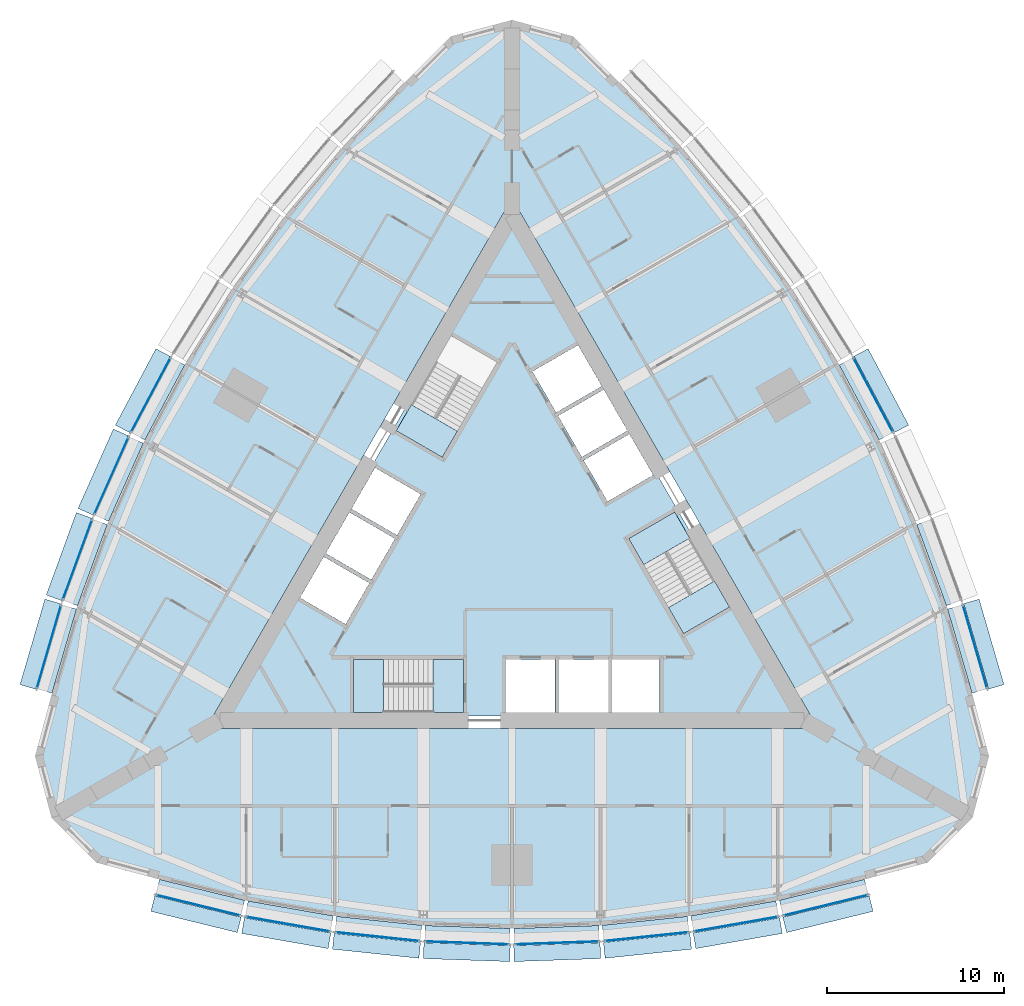
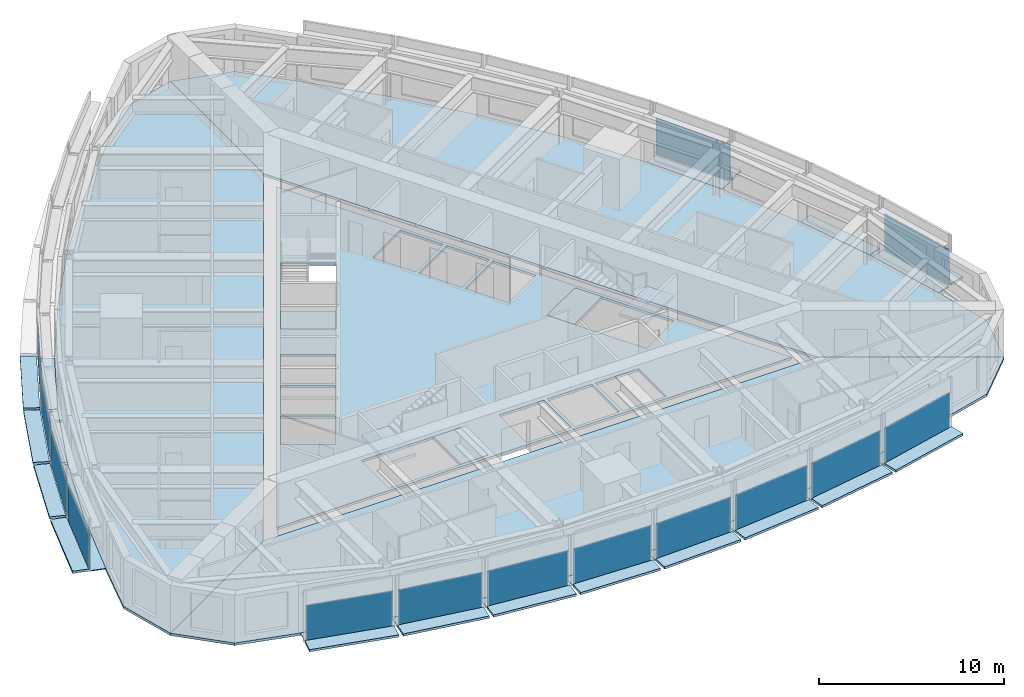
# One storey, part 7 of 15: 43 plates, 9 slabs, 17 elements without a shape of their own.
"""IFC4 building model written with IfcOpenShell, lengths in metres."""

import ifcopenshell
import ifcopenshell.guid

model = None  # the IFC model being written
_history = None  # IfcOwnerHistory: only IFC2X3 demands one
_inside = {}  # id of a spatial element -> (the spatial element, [elements in it])
_under = {}  # id of a project, library or spatial element -> (it, [spatial elements below it])
_declared = {}  # id of a project -> (the project, [libraries it declares])
_typed = {}  # id of a type object -> (the type object, [elements of that type])
_made_of = {}  # id of a material, layer set ... -> (it, [elements and type objects made of it])


def new_model(schema):
    """Start an empty IFC model of exactly this schema.

    Asked for "IFC4X3", IfcOpenShell would pick the latest addendum, in which some entities
    have other attributes; the version numbers below select the first issue.
    IFC2X3 requires an IfcOwnerHistory on every rooted entity: one is made here for all.
    """
    global model, _history
    if schema == "IFC4X3":
        model = ifcopenshell.file(schema_version=(4, 3, 0, 0))
    else:
        model = ifcopenshell.file(schema=schema)
    _inside.clear()
    _under.clear()
    _declared.clear()
    _typed.clear()
    _made_of.clear()
    _history = None
    if model.schema == "IFC2X3":
        org = make("IfcOrganization", Name="unknown")
        user = make(
            "IfcPersonAndOrganization",
            ThePerson=make("IfcPerson", FamilyName="unknown"),
            TheOrganization=org,
        )
        app = make(
            "IfcApplication",
            ApplicationDeveloper=org,
            Version="unknown",
            ApplicationFullName="unknown",
            ApplicationIdentifier="unknown",
        )
        _history = make(
            "IfcOwnerHistory",
            OwningUser=user,
            OwningApplication=app,
            ChangeAction="ADDED",
            CreationDate=0,
        )
    return model


def make(cls, **values):
    """One entity of the class cls with the attributes given. An attribute that is None is left unset."""
    return model.create_entity(
        cls, **{name: value for name, value in values.items() if value is not None}
    )


def rooted(cls, **values):
    """An entity with a GlobalId (a new one), such as an element, a storey or a relation."""
    return make(cls, GlobalId=ifcopenshell.guid.new(), OwnerHistory=_history, **values)


def si_unit(unit_type, name, prefix=None):
    """IfcSIUnit, for example si_unit("LENGTHUNIT", "METRE", prefix="MILLI")."""
    return make("IfcSIUnit", UnitType=unit_type, Prefix=prefix, Name=name)


def assignment(units):
    """IfcUnitAssignment: the units of a project."""
    return None if units is None else make("IfcUnitAssignment", Units=units)


def point(xyz):
    """IfcCartesianPoint."""
    return None if xyz is None else make("IfcCartesianPoint", Coordinates=xyz)


def direction(xyz):
    """IfcDirection."""
    return None if xyz is None else make("IfcDirection", DirectionRatios=xyz)


def frame(location, z_axis=None, x_axis=None):
    """IfcAxis2Placement3D, a coordinate frame: its origin and axes. An axis left out is left unset."""
    return make(
        "IfcAxis2Placement3D",
        Location=point(location),
        Axis=direction(z_axis),
        RefDirection=direction(x_axis),
    )


def frame_2d(location, x_axis=None):
    """IfcAxis2Placement2D, a coordinate frame in the plane: its origin and x axis."""
    return make(
        "IfcAxis2Placement2D", Location=point(location), RefDirection=direction(x_axis)
    )


def origin():
    """The frame at (0, 0, 0) with its axes left unset."""
    return frame((0.0, 0.0, 0.0))


def origin_2d():
    """The frame at (0, 0) in the plane with its x axis left unset."""
    return frame_2d((0.0, 0.0))


def place(relative_to, where):
    """IfcLocalPlacement: puts the frame where relative to a parent placement (None: the world)."""
    return make(
        "IfcLocalPlacement", PlacementRelTo=relative_to, RelativePlacement=where
    )


def context(
    kind, dimensions, precision=None, world=None, true_north=None, identifier=None
):
    """IfcGeometricRepresentationContext, for example the 3D "Model" context."""
    return make(
        "IfcGeometricRepresentationContext",
        ContextIdentifier=identifier,
        ContextType=kind,
        CoordinateSpaceDimension=dimensions,
        Precision=precision,
        WorldCoordinateSystem=world,
        TrueNorth=true_north,
    )


def subcontext(parent, identifier, kind, view, scale=None):
    """IfcGeometricRepresentationSubContext, for example "Body" below "Model"."""
    return make(
        "IfcGeometricRepresentationSubContext",
        ContextIdentifier=identifier,
        ContextType=kind,
        ParentContext=parent,
        TargetScale=scale,
        TargetView=view,
    )


def project(units=None, contexts=None):
    """IfcProject with its units and contexts."""
    return rooted(
        "IfcProject",
        Name="project",
        RepresentationContexts=contexts,
        UnitsInContext=assignment(units),
    )


def spatial(cls, under=None, at=None, **own):
    """A site, building, storey or space (cls), placed at a placement, below another one or the project."""
    s = rooted(cls, ObjectPlacement=at, **own)
    if under is not None:
        _under.setdefault(under.id(), (under, []))[1].append(s)
    return s


def polyline(points):
    """IfcPolyline through the points."""
    return make("IfcPolyline", Points=[point(p) for p in points])


def profile(cls, at=None, kind="AREA", **sizes):
    """A parametric profile (cls). Its sizes go by their IFC names, for example OverallWidth=200.0."""
    return make(cls, ProfileType=kind, Position=at, **sizes)


def rectangle(**sizes):
    """IfcRectangleProfileDef."""
    return profile("IfcRectangleProfileDef", **sizes)


def outline(outer, holes=None, kind="AREA"):
    """IfcArbitraryClosedProfileDef: a profile drawn as a closed curve; with holes, ...WithVoids."""
    if holes is None:
        return make("IfcArbitraryClosedProfileDef", ProfileType=kind, OuterCurve=outer)
    return make(
        "IfcArbitraryProfileDefWithVoids",
        ProfileType=kind,
        OuterCurve=outer,
        InnerCurves=holes,
    )


def extrude(swept, where, along, depth):
    """IfcExtrudedAreaSolid: the profile swept, set in the frame where, extruded along a direction by depth."""
    return make(
        "IfcExtrudedAreaSolid",
        SweptArea=swept,
        Position=where,
        ExtrudedDirection=direction(along),
        Depth=depth,
    )


def shape(context_of_items, identifier, shape_type, items):
    """IfcShapeRepresentation: the items that make up one representation, for example the "Body"."""
    return make(
        "IfcShapeRepresentation",
        ContextOfItems=context_of_items,
        RepresentationIdentifier=identifier,
        RepresentationType=shape_type,
        Items=items,
    )


def material(Name=None, Category=None):
    """IfcMaterial."""
    return make("IfcMaterial", Name=Name, Category=Category)


def layer(
    of_material, thickness, ventilated=None, Name=None, Category=None, Priority=None
):
    """IfcMaterialLayer: one layer of a wall or slab, of a material (None: an air gap)."""
    return make(
        "IfcMaterialLayer",
        Material=of_material,
        LayerThickness=thickness,
        IsVentilated=ventilated,
        Name=Name,
        Category=Category,
        Priority=Priority,
    )


def layer_set(layers, Name=None):
    """IfcMaterialLayerSet."""
    return make("IfcMaterialLayerSet", MaterialLayers=layers, LayerSetName=Name)


def made_of(thing, what):
    """Note that an element or type object is made of a material, layer set ...; save() writes the relation."""
    if what is not None:
        _made_of.setdefault(what.id(), (what, []))[1].append(thing)
    return thing


def type_object(cls, material=None, **own):
    """A type object (cls), such as IfcWallType, which elements share."""
    return made_of(rooted(cls, **own), material)


def element(
    cls,
    number,
    at=None,
    inside=None,
    cuts=None,
    type_object=None,
    material=None,
    context=None,
    identifier="Body",
    shape_type=None,
    held_by="IfcProductDefinitionShape",
    body=None,
    shapes=None,
    **own,
):
    """One element of the class cls, such as IfcWall. Its Tag is "e" and its number.

    at: its placement. inside: the storey or other place that contains it. cuts: it is an
    opening in that element (IfcRelVoidsElement). A single representation is given by context,
    identifier, shape_type and body (its items); several are given by shapes. held_by: the class
    of the entity that holds the representations. save() writes the other relations.
    """
    e = rooted(cls, Tag="e%d" % number, ObjectPlacement=at, **own)
    if body is not None:
        shapes = [shape(context, identifier, shape_type, body)]
    if shapes is not None:
        e.Representation = make(held_by, Representations=shapes)
    if inside is not None:
        _inside.setdefault(inside.id(), (inside, []))[1].append(e)
    if cuts is not None:
        rooted(
            "IfcRelVoidsElement", RelatingBuildingElement=cuts, RelatedOpeningElement=e
        )
    if type_object is not None:
        _typed.setdefault(type_object.id(), (type_object, []))[1].append(e)
    return made_of(e, material)


def aggregate(whole, parts):
    """IfcRelAggregates: a whole, such as a stair, and the parts it consists of."""
    return rooted("IfcRelAggregates", RelatingObject=whole, RelatedObjects=parts)


def save(model, path):
    """Write the relations noted so far, then the file.

    IfcRelAggregates (storeys below a building ...), IfcRelContainedInSpatialStructure (elements
    in a storey), IfcRelDefinesByType, IfcRelAssociatesMaterial and IfcRelDeclares: one each for
    every whole, place, type object, material and project.
    """
    for whole, parts in _under.values():
        aggregate(whole, parts)
    for where, things in _inside.values():
        rooted(
            "IfcRelContainedInSpatialStructure",
            RelatedElements=things,
            RelatingStructure=where,
        )
    for kind, things in _typed.values():
        rooted("IfcRelDefinesByType", RelatedObjects=things, RelatingType=kind)
    for what, things in _made_of.values():
        rooted("IfcRelAssociatesMaterial", RelatedObjects=things, RelatingMaterial=what)
    for by, libraries in _declared.values():
        rooted("IfcRelDeclares", RelatingContext=by, RelatedDefinitions=libraries)
    model.write(path)


model = new_model("IFC4")

# Units and contexts
model_context = context("Model", 3, precision=1e-05, world=origin(), true_north=direction((0.0, 1.0)))
body_context = subcontext(model_context, "Body", "Model", "MODEL_VIEW")
ifc_project = project(units=[si_unit("LENGTHUNIT", "METRE"), si_unit("AREAUNIT", "SQUARE_METRE"), si_unit("VOLUMEUNIT", "CUBIC_METRE"), si_unit("PLANEANGLEUNIT", "RADIAN"), si_unit("MASSUNIT", "GRAM", prefix="KILO")], contexts=[model_context])

# Site, building, storey
site_placement = place(None, origin())
site = spatial("IfcSite", under=ifc_project, at=site_placement, CompositionType="ELEMENT")
building_placement = place(site_placement, origin())
building = spatial("IfcBuilding", under=site, at=building_placement, Name="Trikona Tower", CompositionType="ELEMENT")
storey_placement = place(building_placement, frame((0.0, 0.0, 186.10009765625)))
storey = spatial("IfcBuildingStorey", under=building, at=storey_placement, Name="L50", CompositionType="ELEMENT", Elevation=186.10009765625)

# Plates
ifc_material_1 = material(Name="Aluminium bar grating", Category="aluminium")
ifc_layer_1 = layer(ifc_material_1, 0.050048828125)
ifc_layer_set_1 = layer_set([ifc_layer_1], Name="Cavity catwalk grating")
plate_type_1 = type_object("IfcPlateType", Name="Cavity catwalk grating", PredefinedType="USERDEFINED", material=ifc_layer_set_1)
plate_1_placement = place(storey_placement, frame((-17.598876953125, -19.49072265625, -0.05029296875), z_axis=(0.0, 0.0, 1.0), x_axis=(0.971274411564, -0.237962218516, 0.0)))
element("IfcPlate", 1, at=plate_1_placement, inside=storey, type_object=plate_type_1, Name="Cavity catwalk L50-00", ObjectType="CATWALK GRATING", PredefinedType="USERDEFINED", context=body_context, shape_type="SweptSolid", body=[
    extrude(rectangle(XDim=4.947998046875, YDim=0.830078125, at=origin_2d()), origin(), (0.0, 0.0, 1.0), 0.050048828125),
])
plate_2_placement = place(storey_placement, frame((-12.571533203125, -20.54638671875, -0.05029296875), z_axis=(0.0, 0.0, 1.0), x_axis=(0.985030604067, -0.172379549401, 0.0)))
element("IfcPlate", 2, at=plate_2_placement, inside=storey, type_object=plate_type_1, Name="Cavity catwalk L50-01", ObjectType="CATWALK GRATING", PredefinedType="USERDEFINED", context=body_context, shape_type="SweptSolid", body=[
    extrude(rectangle(XDim=4.8759765625, YDim=0.830078125, at=origin_2d()), origin(), (0.0, 0.0, 1.0), 0.050048828125),
])
plate_3_placement = place(storey_placement, frame((-7.543212890625, -21.25048828125, -0.05029296875), z_axis=(0.0, 0.0, 1.0), x_axis=(0.994532653854, -0.104426052392, 0.0)))
element("IfcPlate", 3, at=plate_3_placement, inside=storey, type_object=plate_type_1, Name="Cavity catwalk L50-02", ObjectType="CATWALK GRATING", PredefinedType="USERDEFINED", context=body_context, shape_type="SweptSolid", body=[
    extrude(rectangle(XDim=4.827392578125, YDim=0.830078125, at=origin_2d()), origin(), (0.0, 0.0, 1.0), 0.050048828125),
])
for number, where, z_axis, x_axis, name in (
    (4, (-2.514404296875, -21.602294921875, -0.05029296875), (0.0, 0.0, 1.0), (0.999388082937, -0.034977988567, 0.0), "Cavity catwalk L50-03"),
    (5, (2.514404296875, -21.602294921875, -0.05029296875), (0.0, 0.0, 1.0), (0.999388082937, 0.034977988567, 0.0), "Cavity catwalk L50-04"),
):
    element("IfcPlate", number, at=place(storey_placement, frame(where, z_axis=z_axis, x_axis=x_axis)), inside=storey, type_object=plate_type_1, Name=name, ObjectType="CATWALK GRATING", PredefinedType="USERDEFINED", context=body_context, shape_type="SweptSolid", body=[
        extrude(rectangle(XDim=4.802978515625, YDim=0.830078125, at=origin_2d()), origin(), (0.0, 0.0, 1.0), 0.050048828125),
    ])
plate_4_placement = place(storey_placement, frame((7.543212890625, -21.25048828125, -0.05029296875), z_axis=(0.0, 0.0, 1.0), x_axis=(0.994532653854, 0.104426052392, 0.0)))
element("IfcPlate", 6, at=plate_4_placement, inside=storey, type_object=plate_type_1, Name="Cavity catwalk L50-05", ObjectType="CATWALK GRATING", PredefinedType="USERDEFINED", context=body_context, shape_type="SweptSolid", body=[
    extrude(rectangle(XDim=4.827392578125, YDim=0.830078125, at=origin_2d()), origin(), (0.0, 0.0, 1.0), 0.050048828125),
])
plate_5_placement = place(storey_placement, frame((12.571533203125, -20.54638671875, -0.05029296875), z_axis=(0.0, 0.0, 1.0), x_axis=(0.985030604067, 0.172379549401, 0.0)))
element("IfcPlate", 7, at=plate_5_placement, inside=storey, type_object=plate_type_1, Name="Cavity catwalk L50-06", ObjectType="CATWALK GRATING", PredefinedType="USERDEFINED", context=body_context, shape_type="SweptSolid", body=[
    extrude(rectangle(XDim=4.8759765625, YDim=0.830078125, at=origin_2d()), origin(), (0.0, 0.0, 1.0), 0.050048828125),
])
plate_6_placement = place(storey_placement, frame((17.598876953125, -19.49072265625, -0.05029296875), z_axis=(0.0, 0.0, 1.0), x_axis=(0.971274411564, 0.237962218516, 0.0)))
element("IfcPlate", 8, at=plate_6_placement, inside=storey, type_object=plate_type_1, Name="Cavity catwalk L50-07", ObjectType="CATWALK GRATING", PredefinedType="USERDEFINED", context=body_context, shape_type="SweptSolid", body=[
    extrude(rectangle(XDim=4.947998046875, YDim=0.830078125, at=origin_2d()), origin(), (0.0, 0.0, 1.0), 0.050048828125),
])
plate_7_placement = place(storey_placement, frame((25.678955078125, -5.49560546875, -0.05029296875), z_axis=(0.0, 0.0, 1.0), x_axis=(-0.279554203664, 0.960129911634, 0.0)))
element("IfcPlate", 9, at=plate_7_placement, inside=storey, type_object=plate_type_1, Name="Cavity catwalk L50-12", ObjectType="CATWALK GRATING", PredefinedType="USERDEFINED", context=body_context, shape_type="SweptSolid", body=[
    extrude(rectangle(XDim=4.94775390625, YDim=0.830078125, at=origin_2d()), origin(), (0.0, 0.0, 1.0), 0.050048828125),
])
plate_8_placement = place(storey_placement, frame((24.07958984375, -0.614013671875, -0.05029296875), z_axis=(0.0, 0.0, 1.0), x_axis=(-0.343220397324, 0.939254895575, 0.0)))
element("IfcPlate", 10, at=plate_8_placement, inside=storey, type_object=plate_type_1, Name="Cavity catwalk L50-13", ObjectType="CATWALK GRATING", PredefinedType="USERDEFINED", context=body_context, shape_type="SweptSolid", body=[
    extrude(rectangle(XDim=4.8759765625, YDim=0.830078125, at=origin_2d()), origin(), (0.0, 0.0, 1.0), 0.050048828125),
])
for number, where, z_axis, x_axis, name in (
    (11, (19.965576171875, 8.62353515625, -0.05029296875), (0.0, 0.0, 1.0), (-0.469397591494, 0.882986920118, 0.0), "Cavity catwalk L50-15"),
    (12, (-19.965576171875, 8.62353515625, -0.05029296875), (0.0, 0.0, 1.0), (-0.469397591494, -0.882986920118, 0.0), "Cavity catwalk L50-28"),
):
    element("IfcPlate", number, at=place(storey_placement, frame(where, z_axis=z_axis, x_axis=x_axis)), inside=storey, type_object=plate_type_1, Name=name, ObjectType="CATWALK GRATING", PredefinedType="USERDEFINED", context=body_context, shape_type="SweptSolid", body=[
        extrude(rectangle(XDim=4.802978515625, YDim=0.830078125, at=origin_2d()), origin(), (0.0, 0.0, 1.0), 0.050048828125),
    ])
plate_9_placement = place(storey_placement, frame((-22.175048828125, 4.092529296875, -0.05029296875), z_axis=(0.0, 0.0, 1.0), x_axis=(-0.406843467615, -0.913497888809, 0.0)))
element("IfcPlate", 13, at=plate_9_placement, inside=storey, type_object=plate_type_1, Name="Cavity catwalk L50-29", ObjectType="CATWALK GRATING", PredefinedType="USERDEFINED", context=body_context, shape_type="SweptSolid", body=[
    extrude(rectangle(XDim=4.827392578125, YDim=0.830078125, at=origin_2d()), origin(), (0.0, 0.0, 1.0), 0.050048828125),
])
plate_10_placement = place(storey_placement, frame((-24.07958984375, -0.614013671875, -0.05029296875), z_axis=(0.0, 0.0, 1.0), x_axis=(-0.343220397324, -0.939254895575, 0.0)))
element("IfcPlate", 14, at=plate_10_placement, inside=storey, type_object=plate_type_1, Name="Cavity catwalk L50-30", ObjectType="CATWALK GRATING", PredefinedType="USERDEFINED", context=body_context, shape_type="SweptSolid", body=[
    extrude(rectangle(XDim=4.8759765625, YDim=0.830078125, at=origin_2d()), origin(), (0.0, 0.0, 1.0), 0.050048828125),
])
plate_11_placement = place(storey_placement, frame((-25.678955078125, -5.49560546875, -0.05029296875), z_axis=(0.0, 0.0, 1.0), x_axis=(-0.279554203664, -0.960129911634, 0.0)))
element("IfcPlate", 15, at=plate_11_placement, inside=storey, type_object=plate_type_1, Name="Cavity catwalk L50-31", ObjectType="CATWALK GRATING", PredefinedType="USERDEFINED", context=body_context, shape_type="SweptSolid", body=[
    extrude(rectangle(XDim=4.94775390625, YDim=0.830078125, at=origin_2d()), origin(), (0.0, 0.0, 1.0), 0.050048828125),
])

# Slabs
ifc_material_2 = material(Name="Concrete f'c 5000 psi lightweight on composite steel deck", Category="concrete")
ifc_layer_2 = layer(ifc_material_2, 0.1650390625)
ifc_layer_set_2 = layer_set([ifc_layer_2], Name="Composite floor slab 165")
slab_type_1 = type_object("IfcSlabType", Name="Composite floor slab 165", PredefinedType="FLOOR", material=ifc_layer_set_2)
slab_1_placement = place(storey_placement, frame((0.0, 0.0, -0.1650390625)))
element("IfcSlab", 16, at=slab_1_placement, inside=storey, type_object=slab_type_1, Name="Floor slab L50 core", PredefinedType="FLOOR", context=body_context, shape_type="SweptSolid", body=[
    extrude(outline(polyline([(-16.06689453125, -9.2763671875), (16.06689453125, -9.2763671875), (0.0, 18.552490234375), (-16.06689453125, -9.2763671875)]), holes=[polyline([(12.285400390625, -3.126220703125), (9.185302734375, 2.2431640625), (6.587158203125, 0.7431640625), (9.687255859375, -4.626220703125), (12.285400390625, -3.126220703125)]), polyline([(8.340087890625, -9.06640625), (8.340087890625, -6.086181640625), (5.659912109375, -6.086181640625), (5.659912109375, -9.06640625), (8.340087890625, -9.06640625)]), polyline([(5.390869140625, 2.835205078125), (7.9716796875, 4.3251953125), (6.631591796875, 6.646240234375), (4.05078125, 5.15625), (5.390869140625, 2.835205078125)]), polyline([(2.600830078125, 7.667724609375), (3.94091796875, 5.3466796875), (6.521484375, 6.8369140625), (5.181640625, 9.15771484375), (2.600830078125, 7.667724609375)]), polyline([(5.43994140625, -6.086181640625), (2.659912109375, -6.086181640625), (2.659912109375, -9.06640625), (5.43994140625, -9.06640625), (5.43994140625, -6.086181640625)]), polyline([(3.731689453125, 11.669189453125), (1.15087890625, 10.17919921875), (2.490966796875, 7.858154296875), (5.071533203125, 9.34814453125), (3.731689453125, 11.669189453125)]), polyline([(-0.340087890625, -6.086181640625), (-0.340087890625, -9.06640625), (2.43994140625, -9.06640625), (2.43994140625, -6.086181640625), (-0.340087890625, -6.086181640625)]), polyline([(-3.435302734375, 12.202392578125), (-6.535400390625, 6.8330078125), (-3.937255859375, 5.3330078125), (-0.837158203125, 10.702392578125), (-3.435302734375, 12.202392578125)]), polyline([(-8.949951171875, -9.076416015625), (-2.75, -9.076416015625), (-2.75, -6.076416015625), (-8.949951171875, -6.076416015625), (-8.949951171875, -9.076416015625)]), polyline([(-5.15087890625, 3.2509765625), (-7.731689453125, 4.740966796875), (-9.071533203125, 2.419921875), (-6.490966796875, 0.929931640625), (-5.15087890625, 3.2509765625)]), polyline([(-7.94091796875, -1.581298828125), (-6.600830078125, 0.739501953125), (-9.181640625, 2.2294921875), (-10.521484375, -0.09130859375), (-7.94091796875, -1.581298828125)]), polyline([(-11.9716796875, -2.602783203125), (-9.390869140625, -4.093017578125), (-8.05078125, -1.77197265625), (-10.631591796875, -0.281982421875), (-11.9716796875, -2.602783203125)])]), origin(), (0.0, 0.0, 1.0), 0.1650390625),
])
slab_2_placement = place(storey_placement, frame((0.0, 0.0, -0.1650390625)))
element("IfcSlab", 17, at=slab_2_placement, inside=storey, type_object=slab_type_1, Name="Floor slab L50 south", PredefinedType="FLOOR", context=body_context, shape_type="SweptSolid", body=[
    extrude(outline(polyline([(23.464111328125, -17.547119140625), (26.0, -15.010986328125), (17.279296875, -9.976318359375), (-17.279296875, -9.976318359375), (-26.0, -15.010986328125), (-23.464111328125, -17.547119140625), (-20.0, -18.47509765625), (-15.0, -19.7001953125), (-10.0, -20.5751953125), (-5.0, -21.10009765625), (0.0, -21.275146484375), (5.0, -21.10009765625), (10.0, -20.5751953125), (15.0, -19.7001953125), (20.0, -18.47509765625), (23.464111328125, -17.547119140625)])), origin(), (0.0, 0.0, 1.0), 0.1650390625),
])
slab_3_placement = place(storey_placement, frame((0.0, 0.0, -0.1650390625)))
element("IfcSlab", 18, at=slab_3_placement, inside=storey, type_object=slab_type_1, Name="Floor slab L50 north-east", PredefinedType="FLOOR", context=body_context, shape_type="SweptSolid", body=[
    extrude(outline(polyline([(3.464111328125, 29.093994140625), (0.0, 30.022216796875), (0.0, 19.95263671875), (17.279296875, -9.976318359375), (26.0, -15.010986328125), (26.92822265625, -11.547119140625), (26.0, -8.0830078125), (24.560791015625, -3.140380859375), (22.818603515625, 1.62744140625), (20.773193359375, 6.219970703125), (18.4248046875, 10.6376953125), (15.773193359375, 14.880126953125), (12.818603515625, 18.947998046875), (9.560791015625, 22.840576171875), (6.0, 26.55810546875), (3.464111328125, 29.093994140625)])), origin(), (0.0, 0.0, 1.0), 0.1650390625),
])
slab_4_placement = place(storey_placement, frame((0.0, 0.0, -0.1650390625)))
element("IfcSlab", 19, at=slab_4_placement, inside=storey, type_object=slab_type_1, Name="Floor slab L50 north-west", PredefinedType="FLOOR", context=body_context, shape_type="SweptSolid", body=[
    extrude(outline(polyline([(0.0, 19.95263671875), (0.0, 30.022216796875), (-3.464111328125, 29.093994140625), (-6.0, 26.55810546875), (-9.560791015625, 22.840576171875), (-12.818603515625, 18.947998046875), (-15.773193359375, 14.880126953125), (-18.4248046875, 10.6376953125), (-20.773193359375, 6.219970703125), (-22.818603515625, 1.62744140625), (-24.560791015625, -3.140380859375), (-26.0, -8.0830078125), (-26.92822265625, -11.547119140625), (-26.0, -15.010986328125), (-17.279296875, -9.976318359375), (0.0, 19.95263671875)])), origin(), (0.0, 0.0, 1.0), 0.1650390625),
])

# Curtain wall, plate
ifc_material_3 = material(Name="Aluminium curtain wall system", Category="aluminium")
curtain_wall_type = type_object("IfcCurtainWallType", Name="Curtain wall DS2S", PredefinedType="NOTDEFINED", material=ifc_material_3)
curtain_wall_1_placement = place(storey_placement, origin())
curtain_wall_1 = element("IfcCurtainWall", 20, at=curtain_wall_1_placement, inside=storey, type_object=curtain_wall_type, Name="Curtain wall DS2S L50", PredefinedType="NOTDEFINED")
ifc_material_4 = material(Name="Laminated clear glass", Category="glass")
ifc_layer_3 = layer(ifc_material_4, 0.028076171875)
ifc_layer_set_3 = layer_set([ifc_layer_3], Name="Glass panel DS2S")
plate_type_2 = type_object("IfcPlateType", Name="Glass panel DS2S", PredefinedType="CURTAIN_PANEL", material=ifc_layer_set_3)
plate_12_placement = place(storey_placement, frame((-17.714111328125, -19.9619140625, 0.0), z_axis=(0.0, 0.0, 1.0), x_axis=(0.971272455026, -0.237970204243, 0.0)))
plate_12 = element("IfcPlate", 21, at=plate_12_placement, type_object=plate_type_2, Name="CW-DS2S panel 1.1", PredefinedType="CURTAIN_PANEL", context=body_context, shape_type="SweptSolid", body=[
    extrude(rectangle(XDim=4.867919921875, YDim=0.028076171875, at=origin_2d()), origin(), (0.0, 0.0, 1.0), 2.39990234375),
])
aggregate(curtain_wall_1, [plate_12])

curtain_wall_2_placement = place(storey_placement, origin())
curtain_wall_2 = element("IfcCurtainWall", 22, at=curtain_wall_2_placement, inside=storey, type_object=curtain_wall_type, Name="Curtain wall DS2S L50", PredefinedType="NOTDEFINED")
plate_13_placement = place(storey_placement, frame((-12.655029296875, -21.024169921875, 0.0), z_axis=(0.0, 0.0, 1.0), x_axis=(0.985030981074, -0.17237739505, 0.0)))
plate_13 = element("IfcPlate", 23, at=plate_13_placement, type_object=plate_type_2, Name="CW-DS2S panel 1.1", PredefinedType="CURTAIN_PANEL", context=body_context, shape_type="SweptSolid", body=[
    extrude(rectangle(XDim=4.7958984375, YDim=0.028076171875, at=origin_2d()), origin(), (0.0, 0.0, 1.0), 2.39990234375),
])
aggregate(curtain_wall_2, [plate_13])

curtain_wall_3_placement = place(storey_placement, origin())
curtain_wall_3 = element("IfcCurtainWall", 24, at=curtain_wall_3_placement, inside=storey, type_object=curtain_wall_type, Name="Curtain wall DS2S L50", PredefinedType="NOTDEFINED")
plate_14_placement = place(storey_placement, frame((-7.593994140625, -21.732666015625, 0.0), z_axis=(0.0, 0.0, 1.0), x_axis=(0.994531883654, -0.104433387357, 0.0)))
plate_14 = element("IfcPlate", 25, at=plate_14_placement, type_object=plate_type_2, Name="CW-DS2S panel 1.1", PredefinedType="CURTAIN_PANEL", context=body_context, shape_type="SweptSolid", body=[
    extrude(rectangle(XDim=4.747314453125, YDim=0.028076171875, at=origin_2d()), origin(), (0.0, 0.0, 1.0), 2.39990234375),
])
aggregate(curtain_wall_3, [plate_14])

curtain_wall_4_placement = place(storey_placement, origin())
curtain_wall_4 = element("IfcCurtainWall", 26, at=curtain_wall_4_placement, inside=storey, type_object=curtain_wall_type, Name="Curtain wall DS2S L50", PredefinedType="NOTDEFINED")
plate_15_placement = place(storey_placement, frame((-2.531494140625, -22.087158203125, 0.0), z_axis=(0.0, 0.0, 1.0), x_axis=(0.99938737114, -0.034998320052, 0.0)))
plate_15 = element("IfcPlate", 27, at=plate_15_placement, type_object=plate_type_2, Name="CW-DS2S panel 1.1", PredefinedType="CURTAIN_PANEL", context=body_context, shape_type="SweptSolid", body=[
    extrude(rectangle(XDim=4.72314453125, YDim=0.028076171875, at=origin_2d()), origin(), (0.0, 0.0, 1.0), 2.39990234375),
])
aggregate(curtain_wall_4, [plate_15])

curtain_wall_5_placement = place(storey_placement, origin())
curtain_wall_5 = element("IfcCurtainWall", 28, at=curtain_wall_5_placement, inside=storey, type_object=curtain_wall_type, Name="Curtain wall DS2S L50", PredefinedType="NOTDEFINED")
plate_16_placement = place(storey_placement, frame((2.531494140625, -22.087158203125, 0.0), z_axis=(0.0, 0.0, 1.0), x_axis=(0.99938737114, 0.034998320052, 0.0)))
plate_16 = element("IfcPlate", 29, at=plate_16_placement, type_object=plate_type_2, Name="CW-DS2S panel 1.1", PredefinedType="CURTAIN_PANEL", context=body_context, shape_type="SweptSolid", body=[
    extrude(rectangle(XDim=4.72314453125, YDim=0.028076171875, at=origin_2d()), origin(), (0.0, 0.0, 1.0), 2.39990234375),
])
aggregate(curtain_wall_5, [plate_16])

curtain_wall_6_placement = place(storey_placement, origin())
curtain_wall_6 = element("IfcCurtainWall", 30, at=curtain_wall_6_placement, inside=storey, type_object=curtain_wall_type, Name="Curtain wall DS2S L50", PredefinedType="NOTDEFINED")
plate_17_placement = place(storey_placement, frame((7.593994140625, -21.732666015625, 0.0), z_axis=(0.0, 0.0, 1.0), x_axis=(0.994531883654, 0.104433387357, 0.0)))
plate_17 = element("IfcPlate", 31, at=plate_17_placement, type_object=plate_type_2, Name="CW-DS2S panel 1.1", PredefinedType="CURTAIN_PANEL", context=body_context, shape_type="SweptSolid", body=[
    extrude(rectangle(XDim=4.747314453125, YDim=0.028076171875, at=origin_2d()), origin(), (0.0, 0.0, 1.0), 2.39990234375),
])
aggregate(curtain_wall_6, [plate_17])

curtain_wall_7_placement = place(storey_placement, origin())
curtain_wall_7 = element("IfcCurtainWall", 32, at=curtain_wall_7_placement, inside=storey, type_object=curtain_wall_type, Name="Curtain wall DS2S L50", PredefinedType="NOTDEFINED")
plate_18_placement = place(storey_placement, frame((12.655029296875, -21.024169921875, 0.0), z_axis=(0.0, 0.0, 1.0), x_axis=(0.985030981074, 0.17237739505, 0.0)))
plate_18 = element("IfcPlate", 33, at=plate_18_placement, type_object=plate_type_2, Name="CW-DS2S panel 1.1", PredefinedType="CURTAIN_PANEL", context=body_context, shape_type="SweptSolid", body=[
    extrude(rectangle(XDim=4.7958984375, YDim=0.028076171875, at=origin_2d()), origin(), (0.0, 0.0, 1.0), 2.39990234375),
])
aggregate(curtain_wall_7, [plate_18])

curtain_wall_8_placement = place(storey_placement, origin())
curtain_wall_8 = element("IfcCurtainWall", 34, at=curtain_wall_8_placement, inside=storey, type_object=curtain_wall_type, Name="Curtain wall DS2S L50", PredefinedType="NOTDEFINED")
plate_19_placement = place(storey_placement, frame((17.714111328125, -19.9619140625, 0.0), z_axis=(0.0, 0.0, 1.0), x_axis=(0.971272455026, 0.237970204243, 0.0)))
plate_19 = element("IfcPlate", 35, at=plate_19_placement, type_object=plate_type_2, Name="CW-DS2S panel 1.1", PredefinedType="CURTAIN_PANEL", context=body_context, shape_type="SweptSolid", body=[
    extrude(rectangle(XDim=4.867919921875, YDim=0.028076171875, at=origin_2d()), origin(), (0.0, 0.0, 1.0), 2.39990234375),
])
aggregate(curtain_wall_8, [plate_19])

curtain_wall_9_placement = place(storey_placement, origin())
curtain_wall_9 = element("IfcCurtainWall", 36, at=curtain_wall_9_placement, inside=storey, type_object=curtain_wall_type, Name="Curtain wall DS2S L50", PredefinedType="NOTDEFINED")
plate_20_placement = place(storey_placement, frame((26.14453125, -5.360107421875, 0.0), z_axis=(0.0, 0.0, 1.0), x_axis=(-0.279543247757, 0.96013310152, 0.0)))
plate_20 = element("IfcPlate", 37, at=plate_20_placement, type_object=plate_type_2, Name="CW-DS2S panel 1.1", PredefinedType="CURTAIN_PANEL", context=body_context, shape_type="SweptSolid", body=[
    extrude(rectangle(XDim=4.867919921875, YDim=0.028076171875, at=origin_2d()), origin(), (0.0, 0.0, 1.0), 2.39990234375),
])
aggregate(curtain_wall_9, [plate_20])

curtain_wall_10_placement = place(storey_placement, origin())
curtain_wall_10 = element("IfcCurtainWall", 38, at=curtain_wall_10_placement, inside=storey, type_object=curtain_wall_type, Name="Curtain wall DS2S L50", PredefinedType="NOTDEFINED")
plate_21_placement = place(storey_placement, frame((20.393798828125, 8.851318359375, 0.0), z_axis=(0.0, 0.0, 1.0), x_axis=(-0.469380308937, 0.882996107343, 0.0)))
plate_21 = element("IfcPlate", 39, at=plate_21_placement, type_object=plate_type_2, Name="CW-DS2S panel 1.1", PredefinedType="CURTAIN_PANEL", context=body_context, shape_type="SweptSolid", body=[
    extrude(rectangle(XDim=4.72314453125, YDim=0.028076171875, at=origin_2d()), origin(), (0.0, 0.0, 1.0), 2.39990234375),
])
aggregate(curtain_wall_10, [plate_21])

curtain_wall_11_placement = place(storey_placement, origin())
curtain_wall_11 = element("IfcCurtainWall", 40, at=curtain_wall_11_placement, inside=storey, type_object=curtain_wall_type, Name="Curtain wall DS2S L50", PredefinedType="NOTDEFINED")
plate_22_placement = place(storey_placement, frame((-20.393798828125, 8.851318359375, 0.0), z_axis=(0.0, 0.0, 1.0), x_axis=(-0.469380308937, -0.882996107343, 0.0)))
plate_22 = element("IfcPlate", 41, at=plate_22_placement, type_object=plate_type_2, Name="CW-DS2S panel 1.1", PredefinedType="CURTAIN_PANEL", context=body_context, shape_type="SweptSolid", body=[
    extrude(rectangle(XDim=4.72314453125, YDim=0.028076171875, at=origin_2d()), origin(), (0.0, 0.0, 1.0), 2.39990234375),
])
aggregate(curtain_wall_11, [plate_22])

curtain_wall_12_placement = place(storey_placement, origin())
curtain_wall_12 = element("IfcCurtainWall", 42, at=curtain_wall_12_placement, inside=storey, type_object=curtain_wall_type, Name="Curtain wall DS2S L50", PredefinedType="NOTDEFINED")
plate_23_placement = place(storey_placement, frame((-22.6181640625, 4.289794921875, 0.0), z_axis=(0.0, 0.0, 1.0), x_axis=(-0.406836013132, -0.913501208767, 0.0)))
plate_23 = element("IfcPlate", 43, at=plate_23_placement, type_object=plate_type_2, Name="CW-DS2S panel 1.1", PredefinedType="CURTAIN_PANEL", context=body_context, shape_type="SweptSolid", body=[
    extrude(rectangle(XDim=4.747314453125, YDim=0.028076171875, at=origin_2d()), origin(), (0.0, 0.0, 1.0), 2.39990234375),
])
aggregate(curtain_wall_12, [plate_23])

curtain_wall_13_placement = place(storey_placement, origin())
curtain_wall_13 = element("IfcCurtainWall", 44, at=curtain_wall_13_placement, inside=storey, type_object=curtain_wall_type, Name="Curtain wall DS2S L50", PredefinedType="NOTDEFINED")
plate_24_placement = place(storey_placement, frame((-24.53515625, -0.447509765625, 0.0), z_axis=(0.0, 0.0, 1.0), x_axis=(-0.343223420143, -0.939253790978, 0.0)))
plate_24 = element("IfcPlate", 45, at=plate_24_placement, type_object=plate_type_2, Name="CW-DS2S panel 1.1", PredefinedType="CURTAIN_PANEL", context=body_context, shape_type="SweptSolid", body=[
    extrude(rectangle(XDim=4.7958984375, YDim=0.028076171875, at=origin_2d()), origin(), (0.0, 0.0, 1.0), 2.39990234375),
])
aggregate(curtain_wall_13, [plate_24])

curtain_wall_14_placement = place(storey_placement, origin())
curtain_wall_14 = element("IfcCurtainWall", 46, at=curtain_wall_14_placement, inside=storey, type_object=curtain_wall_type, Name="Curtain wall DS2S L50", PredefinedType="NOTDEFINED")
plate_25_placement = place(storey_placement, frame((-26.14453125, -5.360107421875, 0.0), z_axis=(0.0, 0.0, 1.0), x_axis=(-0.279543247757, -0.96013310152, 0.0)))
plate_25 = element("IfcPlate", 47, at=plate_25_placement, type_object=plate_type_2, Name="CW-DS2S panel 1.1", PredefinedType="CURTAIN_PANEL", context=body_context, shape_type="SweptSolid", body=[
    extrude(rectangle(XDim=4.867919921875, YDim=0.028076171875, at=origin_2d()), origin(), (0.0, 0.0, 1.0), 2.39990234375),
])
aggregate(curtain_wall_14, [plate_25])

# Plates
ifc_material_5 = material(Name="Aluminium plate fin, pale anodised, on stainless steel outriggers", Category="steel")
ifc_layer_4 = layer(ifc_material_5, 0.14990234375)
ifc_layer_set_4 = layer_set([ifc_layer_4], Name="Outer skin fin 900")
plate_type_3 = type_object("IfcPlateType", Name="Outer skin fin 900", PredefinedType="USERDEFINED", material=ifc_layer_set_4)
plate_26_placement = place(storey_placement, frame((-17.837890625, -20.466796875, 0.0), z_axis=(0.0, 0.0, 1.0), x_axis=(0.971274411564, -0.237962218516, 0.0)))
element("IfcPlate", 48, at=plate_26_placement, inside=storey, type_object=plate_type_3, Name="Outer skin fin L50-00", ObjectType="FIN", PredefinedType="USERDEFINED", context=body_context, shape_type="SweptSolid", body=[
    extrude(rectangle(XDim=5.02783203125, YDim=0.89990234375, at=origin_2d()), origin(), (0.0, 0.0, 1.0), 0.14990234375),
])
plate_27_placement = place(storey_placement, frame((-12.744873046875, -21.536376953125, 0.0), z_axis=(0.0, 0.0, 1.0), x_axis=(0.985030604067, -0.172379549401, 0.0)))
element("IfcPlate", 49, at=plate_27_placement, inside=storey, type_object=plate_type_3, Name="Outer skin fin L50-01", ObjectType="FIN", PredefinedType="USERDEFINED", context=body_context, shape_type="SweptSolid", body=[
    extrude(rectangle(XDim=4.9560546875, YDim=0.89990234375, at=origin_2d()), origin(), (0.0, 0.0, 1.0), 0.14990234375),
])
plate_28_placement = place(storey_placement, frame((-7.648193359375, -22.25, 0.0), z_axis=(0.0, 0.0, 1.0), x_axis=(0.994532653854, -0.104426052392, 0.0)))
element("IfcPlate", 50, at=plate_28_placement, inside=storey, type_object=plate_type_3, Name="Outer skin fin L50-02", ObjectType="FIN", PredefinedType="USERDEFINED", context=body_context, shape_type="SweptSolid", body=[
    extrude(rectangle(XDim=4.907470703125, YDim=0.89990234375, at=origin_2d()), origin(), (0.0, 0.0, 1.0), 0.14990234375),
])
for number, where, z_axis, x_axis, name in (
    (51, (-2.5498046875, -22.606689453125, 0.0), (0.0, 0.0, 1.0), (0.999388082937, -0.034977988567, 0.0), "Outer skin fin L50-03"),
    (52, (2.5498046875, -22.606689453125, 0.0), (0.0, 0.0, 1.0), (0.999388082937, 0.034977988567, 0.0), "Outer skin fin L50-04"),
):
    element("IfcPlate", number, at=place(storey_placement, frame(where, z_axis=z_axis, x_axis=x_axis)), inside=storey, type_object=plate_type_3, Name=name, ObjectType="FIN", PredefinedType="USERDEFINED", context=body_context, shape_type="SweptSolid", body=[
        extrude(rectangle(XDim=4.883056640625, YDim=0.89990234375, at=origin_2d()), origin(), (0.0, 0.0, 1.0), 0.14990234375),
    ])
plate_29_placement = place(storey_placement, frame((7.648193359375, -22.25, 0.0), z_axis=(0.0, 0.0, 1.0), x_axis=(0.994532653854, 0.104426052392, 0.0)))
element("IfcPlate", 53, at=plate_29_placement, inside=storey, type_object=plate_type_3, Name="Outer skin fin L50-05", ObjectType="FIN", PredefinedType="USERDEFINED", context=body_context, shape_type="SweptSolid", body=[
    extrude(rectangle(XDim=4.907470703125, YDim=0.89990234375, at=origin_2d()), origin(), (0.0, 0.0, 1.0), 0.14990234375),
])
plate_30_placement = place(storey_placement, frame((12.744873046875, -21.536376953125, 0.0), z_axis=(0.0, 0.0, 1.0), x_axis=(0.985030604067, 0.172379549401, 0.0)))
element("IfcPlate", 54, at=plate_30_placement, inside=storey, type_object=plate_type_3, Name="Outer skin fin L50-06", ObjectType="FIN", PredefinedType="USERDEFINED", context=body_context, shape_type="SweptSolid", body=[
    extrude(rectangle(XDim=4.9560546875, YDim=0.89990234375, at=origin_2d()), origin(), (0.0, 0.0, 1.0), 0.14990234375),
])
for number, where, z_axis, x_axis, name in (
    (55, (17.837890625, -20.466796875, 0.0), (0.0, 0.0, 1.0), (0.971274411564, 0.237962218516, 0.0), "Outer skin fin L50-07"),
    (56, (26.643798828125, -5.214599609375, 0.0), (0.0, 0.0, 1.0), (-0.279554203664, 0.960129911634, 0.0), "Outer skin fin L50-12"),
):
    element("IfcPlate", number, at=place(storey_placement, frame(where, z_axis=z_axis, x_axis=x_axis)), inside=storey, type_object=plate_type_3, Name=name, ObjectType="FIN", PredefinedType="USERDEFINED", context=body_context, shape_type="SweptSolid", body=[
        extrude(rectangle(XDim=5.02783203125, YDim=0.89990234375, at=origin_2d()), origin(), (0.0, 0.0, 1.0), 0.14990234375),
    ])
for number, where, z_axis, x_axis, name in (
    (57, (20.852783203125, 9.09521484375, 0.0), (0.0, 0.0, 1.0), (-0.469397591494, 0.882986920118, 0.0), "Outer skin fin L50-15"),
    (58, (-20.852783203125, 9.09521484375, 0.0), (0.0, 0.0, 1.0), (-0.469397591494, -0.882986920118, 0.0), "Outer skin fin L50-28"),
):
    element("IfcPlate", number, at=place(storey_placement, frame(where, z_axis=z_axis, x_axis=x_axis)), inside=storey, type_object=plate_type_3, Name=name, ObjectType="FIN", PredefinedType="USERDEFINED", context=body_context, shape_type="SweptSolid", body=[
        extrude(rectangle(XDim=4.883056640625, YDim=0.89990234375, at=origin_2d()), origin(), (0.0, 0.0, 1.0), 0.14990234375),
    ])
plate_31_placement = place(storey_placement, frame((-23.09326171875, 4.50146484375, 0.0), z_axis=(0.0, 0.0, 1.0), x_axis=(-0.406843467615, -0.913497888809, 0.0)))
element("IfcPlate", 59, at=plate_31_placement, inside=storey, type_object=plate_type_3, Name="Outer skin fin L50-29", ObjectType="FIN", PredefinedType="USERDEFINED", context=body_context, shape_type="SweptSolid", body=[
    extrude(rectangle(XDim=4.907470703125, YDim=0.89990234375, at=origin_2d()), origin(), (0.0, 0.0, 1.0), 0.14990234375),
])
plate_32_placement = place(storey_placement, frame((-25.0234375, -0.26904296875, 0.0), z_axis=(0.0, 0.0, 1.0), x_axis=(-0.343220397324, -0.939254895575, 0.0)))
element("IfcPlate", 60, at=plate_32_placement, inside=storey, type_object=plate_type_3, Name="Outer skin fin L50-30", ObjectType="FIN", PredefinedType="USERDEFINED", context=body_context, shape_type="SweptSolid", body=[
    extrude(rectangle(XDim=4.9560546875, YDim=0.89990234375, at=origin_2d()), origin(), (0.0, 0.0, 1.0), 0.14990234375),
])
plate_33_placement = place(storey_placement, frame((-26.643798828125, -5.214599609375, 0.0), z_axis=(0.0, 0.0, 1.0), x_axis=(-0.279554203664, -0.960129911634, 0.0)))
element("IfcPlate", 61, at=plate_33_placement, inside=storey, type_object=plate_type_3, Name="Outer skin fin L50-31", ObjectType="FIN", PredefinedType="USERDEFINED", context=body_context, shape_type="SweptSolid", body=[
    extrude(rectangle(XDim=5.02783203125, YDim=0.89990234375, at=origin_2d()), origin(), (0.0, 0.0, 1.0), 0.14990234375),
])

# Stair, slabs
ifc_material_6 = material(Name="Concrete f'c 5000 psi", Category="concrete")
stair_type = type_object("IfcStairType", Name="Core stair", PredefinedType="HALF_TURN_STAIR", material=ifc_material_6)
stair_1_placement = place(storey_placement, origin())
stair_1 = element("IfcStair", 62, at=stair_1_placement, inside=storey, type_object=stair_type, Name="Stair A L50", PredefinedType="HALF_TURN_STAIR")
ifc_material_7 = material(Name="Concrete f'c 5000 psi", Category="concrete")
ifc_layer_5 = layer(ifc_material_7, 0.199951171875)
ifc_layer_set_5 = layer_set([ifc_layer_5], Name="Stair landing 200")
slab_type_2 = type_object("IfcSlabType", Name="Stair landing 200", PredefinedType="LANDING", material=ifc_layer_set_5)
slab_5_placement = place(storey_placement, frame((0.0, 0.0, -0.2001953125)))
slab_5 = element("IfcSlab", 63, at=slab_5_placement, type_object=slab_type_2, Name="ST-A landing 1", PredefinedType="LANDING", context=body_context, shape_type="SweptSolid", body=[
    extrude(outline(polyline([(-4.452880859375, -6.076416015625), (-2.75, -6.076416015625), (-2.75, -9.076416015625), (-4.452880859375, -9.076416015625), (-4.452880859375, -6.076416015625)])), origin(), (0.0, 0.0, 1.0), 0.2001953125),
])
slab_6_placement = place(storey_placement, frame((0.0, 0.0, 1.5)))
slab_6 = element("IfcSlab", 64, at=slab_6_placement, type_object=slab_type_2, Name="ST-A landing 2", PredefinedType="LANDING", context=body_context, shape_type="SweptSolid", body=[
    extrude(outline(polyline([(-8.949951171875, -6.076416015625), (-7.2470703125, -6.076416015625), (-7.2470703125, -9.076416015625), (-8.949951171875, -9.076416015625), (-8.949951171875, -6.076416015625)])), origin(), (0.0, 0.0, 1.0), 0.199951171875),
])
aggregate(stair_1, [slab_5, slab_6])

stair_2_placement = place(storey_placement, origin())
stair_2 = element("IfcStair", 65, at=stair_2_placement, inside=storey, type_object=stair_type, Name="Stair B L50", PredefinedType="HALF_TURN_STAIR")
slab_7_placement = place(storey_placement, frame((0.0, 0.0, -0.2001953125)))
slab_7 = element("IfcSlab", 66, at=slab_7_placement, type_object=slab_type_2, Name="ST-B landing 1", PredefinedType="LANDING", context=body_context, shape_type="SweptSolid", body=[
    extrude(outline(polyline([(7.438720703125, -0.731689453125), (6.587158203125, 0.7431640625), (9.185302734375, 2.2431640625), (10.036865234375, 0.768310546875), (7.438720703125, -0.731689453125)])), origin(), (0.0, 0.0, 1.0), 0.2001953125),
])
slab_8_placement = place(storey_placement, frame((0.0, 0.0, 1.5)))
slab_8 = element("IfcSlab", 67, at=slab_8_placement, type_object=slab_type_2, Name="ST-B landing 2", PredefinedType="LANDING", context=body_context, shape_type="SweptSolid", body=[
    extrude(outline(polyline([(9.687255859375, -4.626220703125), (8.835693359375, -3.1513671875), (11.433837890625, -1.6513671875), (12.285400390625, -3.126220703125), (9.687255859375, -4.626220703125)])), origin(), (0.0, 0.0, 1.0), 0.199951171875),
])
aggregate(stair_2, [slab_7, slab_8])

# Stair, slab
stair_3_placement = place(storey_placement, origin())
stair_3 = element("IfcStair", 68, at=stair_3_placement, inside=storey, type_object=stair_type, Name="Stair C L50", PredefinedType="HALF_TURN_STAIR")
slab_9_placement = place(storey_placement, frame((0.0, 0.0, -0.2001953125)))
slab_9 = element("IfcSlab", 69, at=slab_9_placement, type_object=slab_type_2, Name="ST-C landing 1", PredefinedType="LANDING", context=body_context, shape_type="SweptSolid", body=[
    extrude(outline(polyline([(-3.085693359375, 6.807861328125), (-3.937255859375, 5.3330078125), (-6.535400390625, 6.8330078125), (-5.683837890625, 8.307861328125), (-3.085693359375, 6.807861328125)])), origin(), (0.0, 0.0, 1.0), 0.2001953125),
])
aggregate(stair_3, [slab_9])

save(model, "model.ifc")
